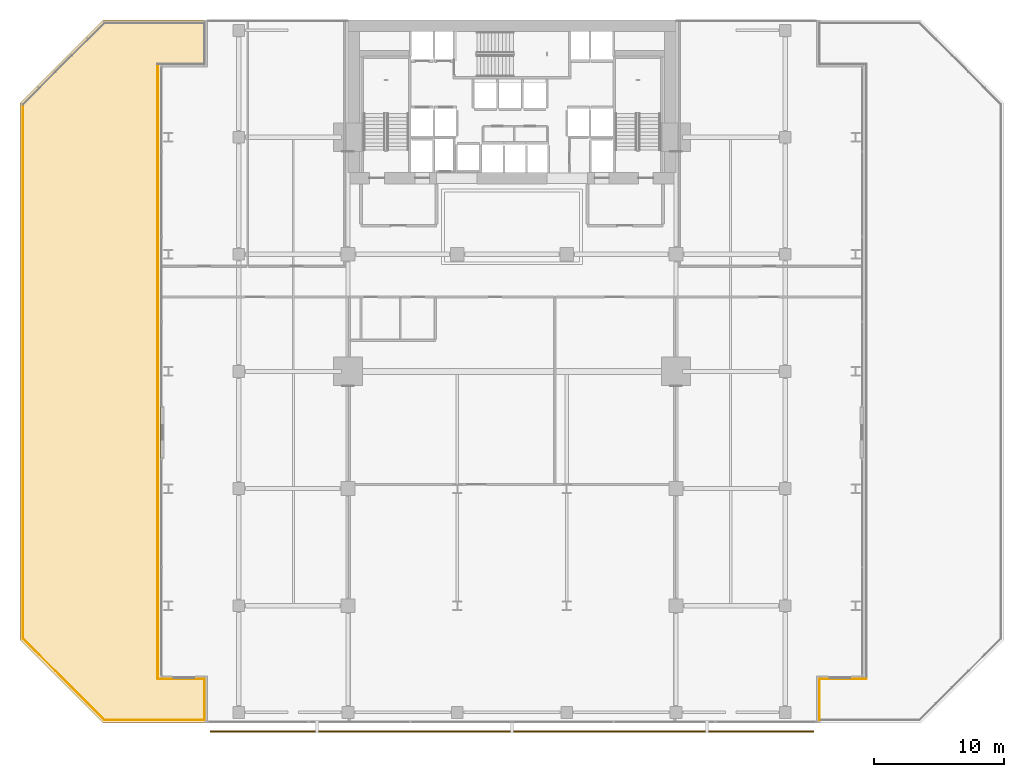
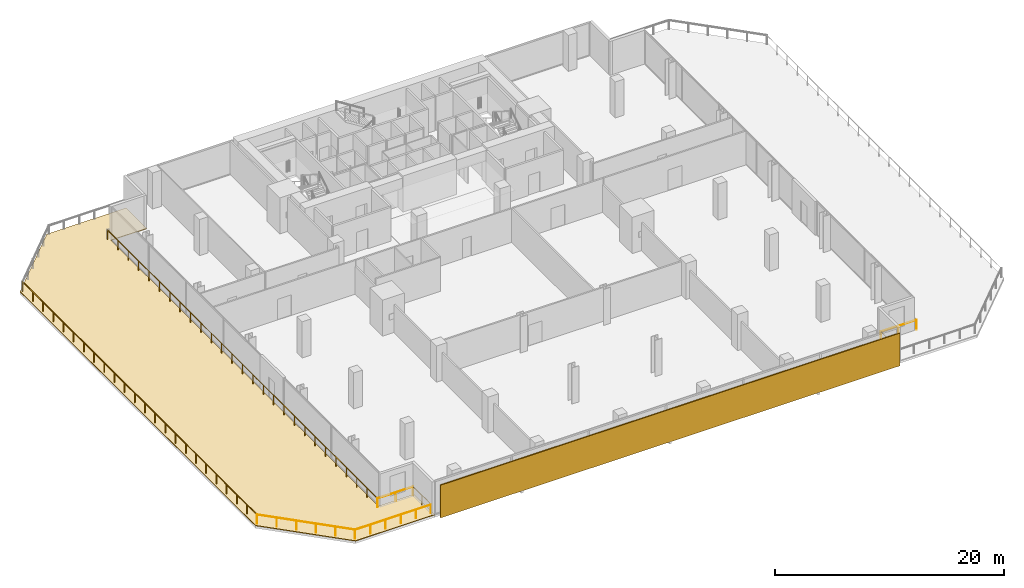
# One storey, part 28 of 31: 8 railings, 1 covering, 1 shading device.
"""IFC4 building model written with IfcOpenShell, lengths in metres."""

from ifc_helpers import new_model, si_unit, direction, frame, origin, origin_2d, place, context, subcontext, project, spatial, polyline, rectangle, circle, outline, extrude, material, layer, layer_set, type_object, element, save


model = new_model("IFC4")

# Units and contexts
model_context = context("Model", 3, precision=1e-05, world=origin(), true_north=direction((0.0, 1.0)))
body_context = subcontext(model_context, "Body", "Model", "MODEL_VIEW")
ifc_project = project(units=[si_unit("LENGTHUNIT", "METRE"), si_unit("AREAUNIT", "SQUARE_METRE"), si_unit("VOLUMEUNIT", "CUBIC_METRE"), si_unit("PLANEANGLEUNIT", "RADIAN"), si_unit("MASSUNIT", "GRAM", prefix="KILO")], contexts=[model_context])

# Site, building, storey
site_placement = place(None, origin())
site = spatial("IfcSite", under=ifc_project, at=site_placement, CompositionType="ELEMENT")
building_placement = place(site_placement, origin())
building = spatial("IfcBuilding", under=site, at=building_placement, Name="Maruvema Waterfront Hotel and Observation Tower", CompositionType="ELEMENT")
storey_placement = place(building_placement, frame((0.0, 0.0, 26.949951171875)))
storey = spatial("IfcBuildingStorey", under=building, at=storey_placement, Name="L05", CompositionType="ELEMENT", Elevation=26.949951171875)

# Covering
ifc_material_1 = material(Name="SBS modified bitumen waterproofing with granite ballast", Category="masonry")
ifc_layer_1 = layer(ifc_material_1, 0.090087890625, Name="Elastomeric Waterproof Roof Membrane and Granite Ballast 90 mm")
ifc_layer_set_1 = layer_set([ifc_layer_1], Name="SBS modified bitumen waterproofing with granite ballast")
covering_type = type_object("IfcCoveringType", Name="Elastomeric Waterproof Roof Membrane and Granite Ballast 90 mm", PredefinedType="ROOFING", material=ifc_layer_set_1)
covering_placement = place(storey_placement, origin())
element("IfcCovering", 1, at=covering_placement, inside=storey, type_object=covering_type, Name="L05 Setback Terrace Waterproofing and Pavers 1", PredefinedType="ROOFING", context=body_context, shape_type="SweptSolid", body=[
    extrude(outline(polyline([(6.39990234375, 0.0), (0.0, 6.39990234375), (0.0, 47.60009765625), (6.39990234375, 54.0), (14.39990234375, 54.0), (14.39990234375, 50.39990234375), (10.800048828125, 50.39990234375), (10.800048828125, 3.60009765625), (14.39990234375, 3.60009765625), (14.39990234375, 0.0), (6.39990234375, 0.0)])), origin(), (0.0, 0.0, 1.0), 0.06005859375),
])

# Railings
ifc_material_2 = material(Name="Brushed stainless steel Grade 316", Category="steel")
railing_type = type_object("IfcRailingType", Name="Ramp and Terrace Guard Balustrade 1100 mm", PredefinedType="BALUSTRADE", material=ifc_material_2)
railing_1_placement = place(storey_placement, frame((6.4912109375, 0.219970703125, 0.0)))
element("IfcRailing", 2, at=railing_1_placement, inside=storey, type_object=railing_type, Name="L05 Perimeter Safety Balustrade 1", PredefinedType="BALUSTRADE", context=body_context, shape_type="SweptSolid", body=[
    extrude(circle(Radius=0.02392578125, at=origin_2d()), frame((0.0, 0.0, 1.076171875), z_axis=(-0.707106781187, 0.707106781187, 0.0), x_axis=(-0.707106781187, -0.707106781187, 0.0)), (0.0, 0.0, 1.0), 8.868896484375),
    extrude(circle(Radius=0.02099609375, at=origin_2d()), origin(), (0.0, 0.0, 1.0), 1.052001953125),
    extrude(circle(Radius=0.02099609375, at=origin_2d()), frame((-1.254150390625, 1.254150390625, 0.0)), (0.0, 0.0, 1.0), 1.052001953125),
    extrude(circle(Radius=0.02099609375, at=origin_2d()), frame((-2.508544921875, 2.508544921875, 0.0)), (0.0, 0.0, 1.0), 1.052001953125),
    extrude(circle(Radius=0.02099609375, at=origin_2d()), frame((-3.7626953125, 3.7626953125, 0.0)), (0.0, 0.0, 1.0), 1.052001953125),
    extrude(circle(Radius=0.02099609375, at=origin_2d()), frame((-5.01708984375, 5.01708984375, 0.0)), (0.0, 0.0, 1.0), 1.052001953125),
    extrude(circle(Radius=0.02099609375, at=origin_2d()), frame((-6.271240234375, 6.271240234375, 0.0)), (0.0, 0.0, 1.0), 1.052001953125),
])
railing_2_placement = place(storey_placement, frame((0.219970703125, 6.4912109375, 0.0)))
element("IfcRailing", 3, at=railing_2_placement, inside=storey, type_object=railing_type, Name="L05 Perimeter Safety Balustrade 2", PredefinedType="BALUSTRADE", context=body_context, shape_type="SweptSolid", body=[
    extrude(circle(Radius=0.02392578125, at=origin_2d()), frame((0.0, 0.0, 1.076171875), z_axis=(0.0, 1.0, 0.0), x_axis=(-1.0, 0.0, 0.0)), (0.0, 0.0, 1.0), 41.017578125),
    extrude(circle(Radius=0.02099609375, at=origin_2d()), origin(), (0.0, 0.0, 1.0), 1.052001953125),
    extrude(circle(Radius=0.02099609375, at=origin_2d()), frame((0.0, 1.783447265625, 0.0)), (0.0, 0.0, 1.0), 1.052001953125),
    extrude(circle(Radius=0.02099609375, at=origin_2d()), frame((0.0, 3.566650390625, 0.0)), (0.0, 0.0, 1.0), 1.052001953125),
    extrude(circle(Radius=0.02099609375, at=origin_2d()), frame((0.0, 5.35009765625, 0.0)), (0.0, 0.0, 1.0), 1.052001953125),
    extrude(circle(Radius=0.02099609375, at=origin_2d()), frame((0.0, 7.133544921875, 0.0)), (0.0, 0.0, 1.0), 1.052001953125),
    extrude(circle(Radius=0.02099609375, at=origin_2d()), frame((0.0, 8.916748046875, 0.0)), (0.0, 0.0, 1.0), 1.052001953125),
    extrude(circle(Radius=0.02099609375, at=origin_2d()), frame((0.0, 10.7001953125, 0.0)), (0.0, 0.0, 1.0), 1.052001953125),
    extrude(circle(Radius=0.02099609375, at=origin_2d()), frame((0.0, 12.483642578125, 0.0)), (0.0, 0.0, 1.0), 1.052001953125),
    extrude(circle(Radius=0.02099609375, at=origin_2d()), frame((0.0, 14.26708984375, 0.0)), (0.0, 0.0, 1.0), 1.052001953125),
    extrude(circle(Radius=0.02099609375, at=origin_2d()), frame((0.0, 16.05029296875, 0.0)), (0.0, 0.0, 1.0), 1.052001953125),
    extrude(circle(Radius=0.02099609375, at=origin_2d()), frame((0.0, 17.833740234375, 0.0)), (0.0, 0.0, 1.0), 1.052001953125),
    extrude(circle(Radius=0.02099609375, at=origin_2d()), frame((0.0, 19.6171875, 0.0)), (0.0, 0.0, 1.0), 1.052001953125),
    extrude(circle(Radius=0.02099609375, at=origin_2d()), frame((0.0, 21.400390625, 0.0)), (0.0, 0.0, 1.0), 1.052001953125),
    extrude(circle(Radius=0.02099609375, at=origin_2d()), frame((0.0, 23.183837890625, 0.0)), (0.0, 0.0, 1.0), 1.052001953125),
    extrude(circle(Radius=0.02099609375, at=origin_2d()), frame((0.0, 24.96728515625, 0.0)), (0.0, 0.0, 1.0), 1.052001953125),
    extrude(circle(Radius=0.02099609375, at=origin_2d()), frame((0.0, 26.75048828125, 0.0)), (0.0, 0.0, 1.0), 1.052001953125),
    extrude(circle(Radius=0.02099609375, at=origin_2d()), frame((0.0, 28.533935546875, 0.0)), (0.0, 0.0, 1.0), 1.052001953125),
    extrude(circle(Radius=0.02099609375, at=origin_2d()), frame((0.0, 30.3173828125, 0.0)), (0.0, 0.0, 1.0), 1.052001953125),
    extrude(circle(Radius=0.02099609375, at=origin_2d()), frame((0.0, 32.100830078125, 0.0)), (0.0, 0.0, 1.0), 1.052001953125),
    extrude(circle(Radius=0.02099609375, at=origin_2d()), frame((0.0, 33.884033203125, 0.0)), (0.0, 0.0, 1.0), 1.052001953125),
    extrude(circle(Radius=0.02099609375, at=origin_2d()), frame((0.0, 35.66748046875, 0.0)), (0.0, 0.0, 1.0), 1.052001953125),
    extrude(circle(Radius=0.02099609375, at=origin_2d()), frame((0.0, 37.450927734375, 0.0)), (0.0, 0.0, 1.0), 1.052001953125),
    extrude(circle(Radius=0.02099609375, at=origin_2d()), frame((0.0, 39.234130859375, 0.0)), (0.0, 0.0, 1.0), 1.052001953125),
    extrude(circle(Radius=0.02099609375, at=origin_2d()), frame((0.0, 41.017578125, 0.0)), (0.0, 0.0, 1.0), 1.052001953125),
])
railing_3_placement = place(storey_placement, frame((10.580078125, 50.6201171875, 0.0)))
element("IfcRailing", 4, at=railing_3_placement, inside=storey, type_object=railing_type, Name="L05 Perimeter Safety Balustrade 7", PredefinedType="BALUSTRADE", context=body_context, shape_type="SweptSolid", body=[
    extrude(circle(Radius=0.02392578125, at=origin_2d()), frame((0.0, 0.0, 1.076171875), z_axis=(0.0, -1.0, 0.0), x_axis=(1.0, 0.0, 0.0)), (0.0, 0.0, 1.0), 47.240234375),
    extrude(circle(Radius=0.02099609375, at=origin_2d()), origin(), (0.0, 0.0, 1.0), 1.052001953125),
    extrude(circle(Radius=0.02099609375, at=origin_2d()), frame((0.0, -1.81689453125, 0.0)), (0.0, 0.0, 1.0), 1.052001953125),
    extrude(circle(Radius=0.02099609375, at=origin_2d()), frame((0.0, -3.6337890625, 0.0)), (0.0, 0.0, 1.0), 1.052001953125),
    extrude(circle(Radius=0.02099609375, at=origin_2d()), frame((0.0, -5.45068359375, 0.0)), (0.0, 0.0, 1.0), 1.052001953125),
    extrude(circle(Radius=0.02099609375, at=origin_2d()), frame((0.0, -7.267822265625, 0.0)), (0.0, 0.0, 1.0), 1.052001953125),
    extrude(circle(Radius=0.02099609375, at=origin_2d()), frame((0.0, -9.084716796875, 0.0)), (0.0, 0.0, 1.0), 1.052001953125),
    extrude(circle(Radius=0.02099609375, at=origin_2d()), frame((0.0, -10.901611328125, 0.0)), (0.0, 0.0, 1.0), 1.052001953125),
    extrude(circle(Radius=0.02099609375, at=origin_2d()), frame((0.0, -12.718505859375, 0.0)), (0.0, 0.0, 1.0), 1.052001953125),
    extrude(circle(Radius=0.02099609375, at=origin_2d()), frame((0.0, -14.535400390625, 0.0)), (0.0, 0.0, 1.0), 1.052001953125),
    extrude(circle(Radius=0.02099609375, at=origin_2d()), frame((0.0, -16.352294921875, 0.0)), (0.0, 0.0, 1.0), 1.052001953125),
    extrude(circle(Radius=0.02099609375, at=origin_2d()), frame((0.0, -18.16943359375, 0.0)), (0.0, 0.0, 1.0), 1.052001953125),
    extrude(circle(Radius=0.02099609375, at=origin_2d()), frame((0.0, -19.986328125, 0.0)), (0.0, 0.0, 1.0), 1.052001953125),
    extrude(circle(Radius=0.02099609375, at=origin_2d()), frame((0.0, -21.80322265625, 0.0)), (0.0, 0.0, 1.0), 1.052001953125),
    extrude(circle(Radius=0.02099609375, at=origin_2d()), frame((0.0, -23.6201171875, 0.0)), (0.0, 0.0, 1.0), 1.052001953125),
    extrude(circle(Radius=0.02099609375, at=origin_2d()), frame((0.0, -25.43701171875, 0.0)), (0.0, 0.0, 1.0), 1.052001953125),
    extrude(circle(Radius=0.02099609375, at=origin_2d()), frame((0.0, -27.25390625, 0.0)), (0.0, 0.0, 1.0), 1.052001953125),
    extrude(circle(Radius=0.02099609375, at=origin_2d()), frame((0.0, -29.07080078125, 0.0)), (0.0, 0.0, 1.0), 1.052001953125),
    extrude(circle(Radius=0.02099609375, at=origin_2d()), frame((0.0, -30.887939453125, 0.0)), (0.0, 0.0, 1.0), 1.052001953125),
    extrude(circle(Radius=0.02099609375, at=origin_2d()), frame((0.0, -32.704833984375, 0.0)), (0.0, 0.0, 1.0), 1.052001953125),
    extrude(circle(Radius=0.02099609375, at=origin_2d()), frame((0.0, -34.521728515625, 0.0)), (0.0, 0.0, 1.0), 1.052001953125),
    extrude(circle(Radius=0.02099609375, at=origin_2d()), frame((0.0, -36.338623046875, 0.0)), (0.0, 0.0, 1.0), 1.052001953125),
    extrude(circle(Radius=0.02099609375, at=origin_2d()), frame((0.0, -38.155517578125, 0.0)), (0.0, 0.0, 1.0), 1.052001953125),
    extrude(circle(Radius=0.02099609375, at=origin_2d()), frame((0.0, -39.972412109375, 0.0)), (0.0, 0.0, 1.0), 1.052001953125),
    extrude(circle(Radius=0.02099609375, at=origin_2d()), frame((0.0, -41.78955078125, 0.0)), (0.0, 0.0, 1.0), 1.052001953125),
    extrude(circle(Radius=0.02099609375, at=origin_2d()), frame((0.0, -43.6064453125, 0.0)), (0.0, 0.0, 1.0), 1.052001953125),
    extrude(circle(Radius=0.02099609375, at=origin_2d()), frame((0.0, -45.42333984375, 0.0)), (0.0, 0.0, 1.0), 1.052001953125),
    extrude(circle(Radius=0.02099609375, at=origin_2d()), frame((0.0, -47.240234375, 0.0)), (0.0, 0.0, 1.0), 1.052001953125),
])
railing_4_placement = place(storey_placement, frame((10.580078125, 3.3798828125, 0.0)))
element("IfcRailing", 5, at=railing_4_placement, inside=storey, type_object=railing_type, Name="L05 Perimeter Safety Balustrade 8", PredefinedType="BALUSTRADE", context=body_context, shape_type="SweptSolid", body=[
    extrude(circle(Radius=0.02392578125, at=origin_2d()), frame((0.0, 0.0, 1.076171875), z_axis=(1.0, 0.0, 0.0), x_axis=(0.0, 1.0, 0.0)), (0.0, 0.0, 1.0), 3.599853515625),
    extrude(circle(Radius=0.02099609375, at=origin_2d()), origin(), (0.0, 0.0, 1.0), 1.052001953125),
    extrude(circle(Radius=0.02099609375, at=origin_2d()), frame((1.7998046875, 0.0, 0.0)), (0.0, 0.0, 1.0), 1.052001953125),
    extrude(circle(Radius=0.02099609375, at=origin_2d()), frame((3.599853515625, 0.0, 0.0)), (0.0, 0.0, 1.0), 1.052001953125),
])
railing_5_placement = place(storey_placement, frame((14.179931640625, 3.3798828125, 0.0)))
element("IfcRailing", 6, at=railing_5_placement, inside=storey, type_object=railing_type, Name="L05 Perimeter Safety Balustrade 9", PredefinedType="BALUSTRADE", context=body_context, shape_type="SweptSolid", body=[
    extrude(circle(Radius=0.02392578125, at=origin_2d()), frame((0.0, 0.0, 1.076171875), z_axis=(0.0, -1.0, 0.0), x_axis=(1.0, 0.0, 0.0)), (0.0, 0.0, 1.0), 3.159912109375),
    extrude(circle(Radius=0.02099609375, at=origin_2d()), origin(), (0.0, 0.0, 1.0), 1.052001953125),
    extrude(circle(Radius=0.02099609375, at=origin_2d()), frame((0.0, -1.580078125, 0.0)), (0.0, 0.0, 1.0), 1.052001953125),
    extrude(circle(Radius=0.02099609375, at=origin_2d()), frame((0.0, -3.159912109375, 0.0)), (0.0, 0.0, 1.0), 1.052001953125),
])
railing_6_placement = place(storey_placement, frame((14.179931640625, 0.219970703125, 0.0)))
element("IfcRailing", 7, at=railing_6_placement, inside=storey, type_object=railing_type, Name="L05 Perimeter Safety Balustrade 10", PredefinedType="BALUSTRADE", context=body_context, shape_type="SweptSolid", body=[
    extrude(circle(Radius=0.02392578125, at=origin_2d()), frame((0.0, 0.0, 1.076171875), z_axis=(-1.0, 0.0, 0.0), x_axis=(0.0, -1.0, 0.0)), (0.0, 0.0, 1.0), 7.688720703125),
    extrude(circle(Radius=0.02099609375, at=origin_2d()), origin(), (0.0, 0.0, 1.0), 1.052001953125),
    extrude(circle(Radius=0.02099609375, at=origin_2d()), frame((-1.537841796875, 0.0, 0.0)), (0.0, 0.0, 1.0), 1.052001953125),
    extrude(circle(Radius=0.02099609375, at=origin_2d()), frame((-3.075439453125, 0.0, 0.0)), (0.0, 0.0, 1.0), 1.052001953125),
    extrude(circle(Radius=0.02099609375, at=origin_2d()), frame((-4.61328125, 0.0, 0.0)), (0.0, 0.0, 1.0), 1.052001953125),
    extrude(circle(Radius=0.02099609375, at=origin_2d()), frame((-6.15087890625, 0.0, 0.0)), (0.0, 0.0, 1.0), 1.052001953125),
    extrude(circle(Radius=0.02099609375, at=origin_2d()), frame((-7.688720703125, 0.0, 0.0)), (0.0, 0.0, 1.0), 1.052001953125),
])
railing_7_placement = place(storey_placement, frame((61.419921875, 0.219970703125, 0.0)))
element("IfcRailing", 8, at=railing_7_placement, inside=storey, type_object=railing_type, Name="L05 Perimeter Safety Balustrade 5", PredefinedType="BALUSTRADE", context=body_context, shape_type="SweptSolid", body=[
    extrude(circle(Radius=0.02392578125, at=origin_2d()), frame((0.0, 0.0, 1.076171875), z_axis=(0.0, 1.0, 0.0), x_axis=(-1.0, 0.0, 0.0)), (0.0, 0.0, 1.0), 3.159912109375),
    extrude(circle(Radius=0.02099609375, at=origin_2d()), origin(), (0.0, 0.0, 1.0), 1.052001953125),
    extrude(circle(Radius=0.02099609375, at=origin_2d()), frame((0.0, 1.580078125, 0.0)), (0.0, 0.0, 1.0), 1.052001953125),
    extrude(circle(Radius=0.02099609375, at=origin_2d()), frame((0.0, 3.159912109375, 0.0)), (0.0, 0.0, 1.0), 1.052001953125),
])
railing_8_placement = place(storey_placement, frame((61.419921875, 3.3798828125, 0.0)))
element("IfcRailing", 9, at=railing_8_placement, inside=storey, type_object=railing_type, Name="L05 Perimeter Safety Balustrade 6", PredefinedType="BALUSTRADE", context=body_context, shape_type="SweptSolid", body=[
    extrude(circle(Radius=0.02392578125, at=origin_2d()), frame((0.0, 0.0, 1.076171875), z_axis=(1.0, 0.0, 0.0), x_axis=(0.0, 1.0, 0.0)), (0.0, 0.0, 1.0), 3.60009765625),
    extrude(circle(Radius=0.02099609375, at=origin_2d()), origin(), (0.0, 0.0, 1.0), 1.052001953125),
    extrude(circle(Radius=0.02099609375, at=origin_2d()), frame((1.800048828125, 0.0, 0.0)), (0.0, 0.0, 1.0), 1.052001953125),
    extrude(circle(Radius=0.02099609375, at=origin_2d()), frame((3.60009765625, 0.0, 0.0)), (0.0, 0.0, 1.0), 1.052001953125),
])

# Shading device
ifc_material_3 = material(Name="Honed travertine stone and anodised architectural bronze", Category="masonry")
ifc_layer_2 = layer(ifc_material_3, 0.1201171875, Name="Ventilated Outer Skin Cobogo Stone-and-Bronze Screen 120 mm")
ifc_layer_set_2 = layer_set([ifc_layer_2], Name="Honed travertine stone and anodised architectural bronze")
shading_device_type = type_object("IfcShadingDeviceType", Name="Ventilated Outer Skin Cobogo Stone-and-Bronze Screen 120 mm", PredefinedType="USERDEFINED", material=ifc_layer_set_2)
shading_device_placement = place(storey_placement, frame((37.800048828125, -0.64990234375, 0.06005859375), z_axis=(0.0, 0.0, 1.0), x_axis=(1.0, 0.0, 0.0)))
element("IfcShadingDevice", 10, at=shading_device_placement, inside=storey, type_object=shading_device_type, Name="L05 Ventilated Double-Skin Outer Cobogo Screen OS-L05-S", ObjectType="OUTER SKIN SCREEN", PredefinedType="USERDEFINED", context=body_context, shape_type="SweptSolid", body=[
    extrude(rectangle(XDim=46.39990234375, YDim=0.1201171875, at=origin_2d()), origin(), (0.0, 0.0, 1.0), 3.489990234375),
])

save(model, "model.ifc")
